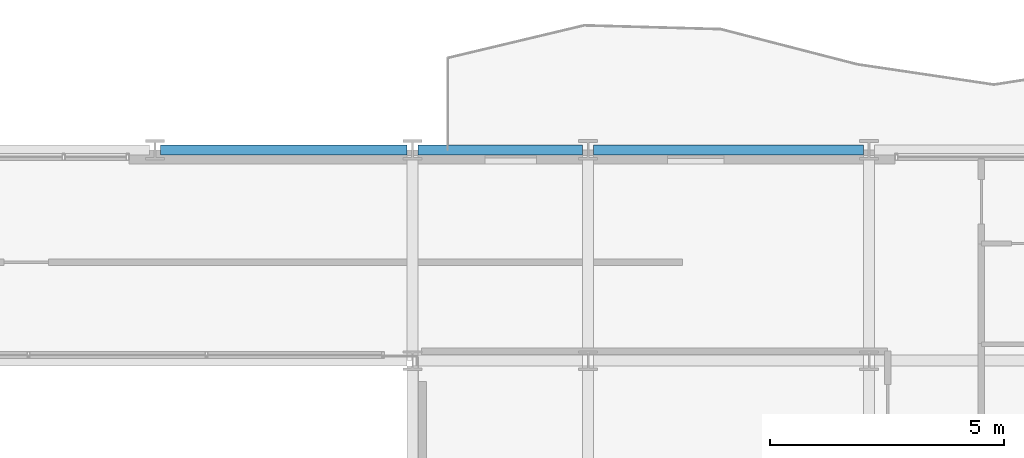
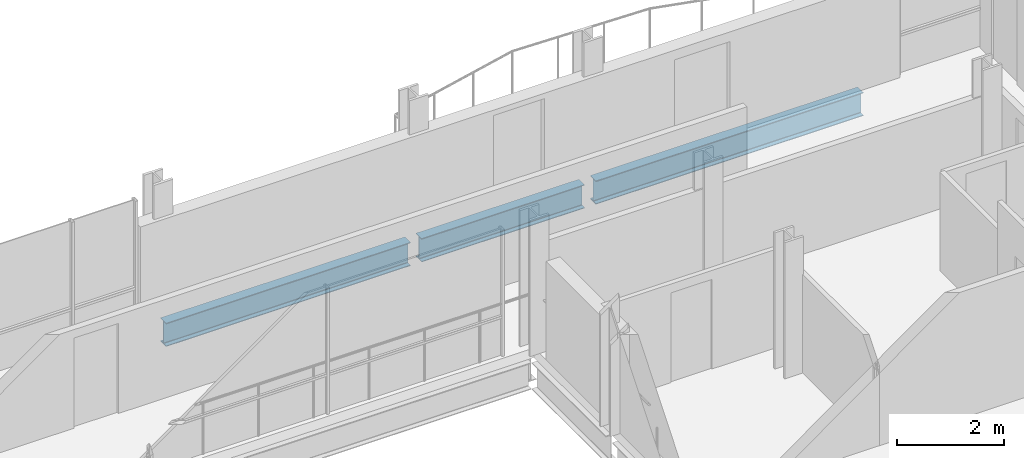
# One storey, part 23 of 40: 3 beams.
"""IFC4 building model written with IfcOpenShell, lengths in metres."""

from ifc_helpers import new_model, si_unit, direction, frame, origin, origin_2d, place, context, subcontext, project, spatial, i_section, extrude, material, material_profile, profile_set, type_object, element, save


model = new_model("IFC4")

# Units and contexts
model_context = context("Model", 3, precision=1e-05, world=origin(), true_north=direction((0.0, 1.0)))
body_context = subcontext(model_context, "Body", "Model", "MODEL_VIEW")
ifc_project = project(units=[si_unit("LENGTHUNIT", "METRE"), si_unit("AREAUNIT", "SQUARE_METRE"), si_unit("VOLUMEUNIT", "CUBIC_METRE"), si_unit("PLANEANGLEUNIT", "RADIAN"), si_unit("MASSUNIT", "GRAM", prefix="KILO")], contexts=[model_context])

# Site, building, storey
site_placement = place(None, origin())
site = spatial("IfcSite", under=ifc_project, at=site_placement, CompositionType="ELEMENT")
building_placement = place(site_placement, origin())
building = spatial("IfcBuilding", under=site, at=building_placement, Name="Brevholm Reach", CompositionType="ELEMENT")
storey_placement = place(building_placement, frame((0.0, 0.0, 119.0)))
storey = spatial("IfcBuildingStorey", under=building, at=storey_placement, Name="L35", CompositionType="ELEMENT", Elevation=119.0)

# Beams
ifc_material = material(Name="Structural Steel S355J2", Category="steel")
ifc_material_profile = material_profile(ifc_material, i_section(OverallWidth=0.209228515625, OverallDepth=0.533203125, WebThickness=0.010009765625, FlangeThickness=0.015625, FilletRadius=0.0126953125, at=origin_2d()), Name="UKB 533x210x92")
ifc_profile_set = profile_set([ifc_material_profile], Name="Structural Steel S355J2")
beam_type = type_object("IfcBeamType", Name="BM-SP533", PredefinedType="SPANDREL", material=ifc_profile_set)
beam_1_placement = place(storey_placement, frame((32.8701171875, 31.0, -0.486572265625), z_axis=(1.0, 0.0, 0.0), x_axis=(0.0, 1.0, 0.0)))
element("IfcBeam", 1, at=beam_1_placement, inside=storey, type_object=beam_type, Name="L35 SP-02 Framing Beam", PredefinedType="SPANDREL", context=body_context, shape_type="SweptSolid", body=[
    extrude(i_section(OverallWidth=0.209228515625, OverallDepth=0.533203125, WebThickness=0.010009765625, FlangeThickness=0.015625, FilletRadius=0.0126953125, at=origin_2d()), origin(), (0.0, 0.0, 1.0), 5.259765625),
])
beam_2_placement = place(storey_placement, frame((38.3701171875, 31.0, -0.486572265625), z_axis=(1.0, 0.0, 0.0), x_axis=(0.0, 1.0, 0.0)))
element("IfcBeam", 2, at=beam_2_placement, inside=storey, type_object=beam_type, Name="L35 SP-02 Framing Beam", PredefinedType="SPANDREL", context=body_context, shape_type="SweptSolid", body=[
    extrude(i_section(OverallWidth=0.209228515625, OverallDepth=0.533203125, WebThickness=0.010009765625, FlangeThickness=0.015625, FilletRadius=0.0126953125, at=origin_2d()), origin(), (0.0, 0.0, 1.0), 3.509765625),
])
beam_3_placement = place(storey_placement, frame((42.1201171875, 31.0, -0.486572265625), z_axis=(1.0, 0.0, 0.0), x_axis=(0.0, 1.0, 0.0)))
element("IfcBeam", 3, at=beam_3_placement, inside=storey, type_object=beam_type, Name="L35 SP-02 Framing Beam", PredefinedType="SPANDREL", context=body_context, shape_type="SweptSolid", body=[
    extrude(i_section(OverallWidth=0.209228515625, OverallDepth=0.533203125, WebThickness=0.010009765625, FlangeThickness=0.015625, FilletRadius=0.0126953125, at=origin_2d()), origin(), (0.0, 0.0, 1.0), 5.759765625),
])

save(model, "model.ifc")
